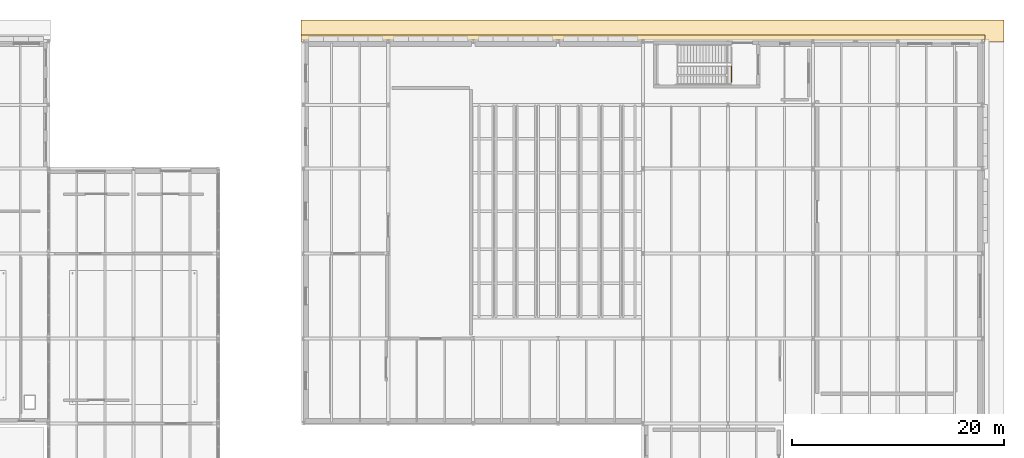
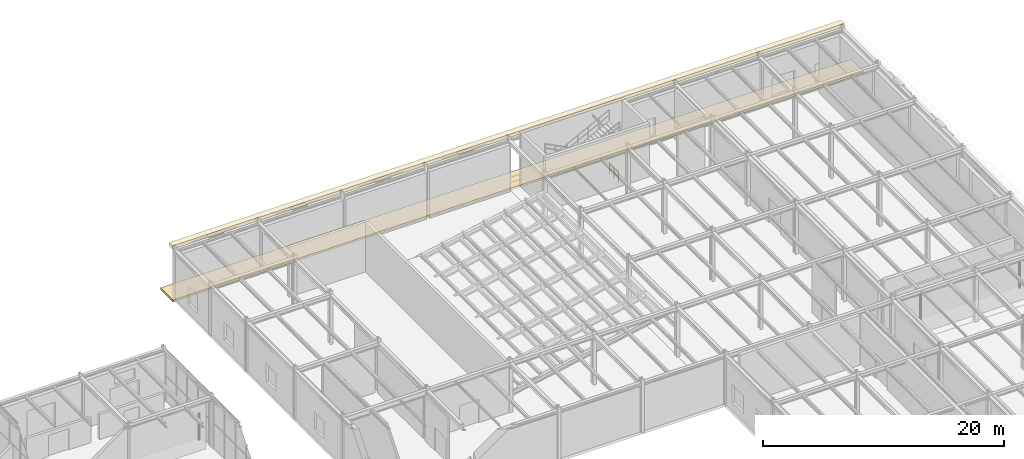
# One storey, part 128 of 129: 2 coverings, 1 railing.
"""IFC4 building model written with IfcOpenShell, lengths in metres."""

from ifc_helpers import new_model, si_unit, direction, frame, origin, origin_2d, place, context, subcontext, project, spatial, polyline, rectangle, circle, outline, extrude, material, layer, layer_set, type_object, element, save


model = new_model("IFC4")

# Units and contexts
model_context = context("Model", 3, precision=1e-05, world=origin(), true_north=direction((0.0, 1.0)))
body_context = subcontext(model_context, "Body", "Model", "MODEL_VIEW")
ifc_project = project(units=[si_unit("LENGTHUNIT", "METRE"), si_unit("AREAUNIT", "SQUARE_METRE"), si_unit("VOLUMEUNIT", "CUBIC_METRE"), si_unit("PLANEANGLEUNIT", "RADIAN"), si_unit("MASSUNIT", "GRAM", prefix="KILO")], contexts=[model_context])

# Site, building, storey
site_placement = place(None, origin())
site = spatial("IfcSite", under=ifc_project, at=site_placement, CompositionType="ELEMENT")
building_placement = place(site_placement, origin())
building = spatial("IfcBuilding", under=site, at=building_placement, Name="Sundkrona Museum", CompositionType="ELEMENT")
storey_placement = place(building_placement, origin())
storey = spatial("IfcBuildingStorey", under=building, at=storey_placement, Name="L00", CompositionType="ELEMENT", Elevation=0.0)

# Coverings
ifc_material_1 = material(Name="Frost-Resistant Vitrified Stoneware Mosaic Cladding", Category="masonry")
ifc_layer = layer(ifc_material_1, 0.044921875)
ifc_layer_set = layer_set([ifc_layer], Name="Frost-Resistant Vitrified Stoneware Mosaic Cladding")
covering_type = type_object("IfcCoveringType", Name="COV-CLD-MOS", PredefinedType="CLADDING", material=ifc_layer_set)
covering_1_placement = place(storey_placement, frame((136.0, 114.280029296875, 5.10986328125), z_axis=(0.0, 0.0, 1.0), x_axis=(1.0, 0.0, 0.0)))
element("IfcCovering", 1, at=covering_1_placement, inside=storey, type_object=covering_type, Name="Classical Corbelled Terracotta Cornice (CRN-V5-N)", PredefinedType="CLADDING", context=body_context, shape_type="SweptSolid", body=[
    extrude(rectangle(XDim=64.39990234375, YDim=0.580078125, at=origin_2d()), origin(), (0.0, 0.0, 1.0), 0.340087890625),
])
covering_2_placement = place(storey_placement, frame((0.0, 0.0, -0.219970703125)))
element("IfcCovering", 2, at=covering_2_placement, inside=storey, type_object=covering_type, Name="Granite Street and Forecourt Civic Plinth (COV-PLN-NORTH-E)", PredefinedType="CLADDING", context=body_context, shape_type="SweptSolid", body=[
    extrude(outline(polyline([(103.800048828125, 113.949951171875), (170.0, 113.949951171875), (170.0, 116.0), (103.800048828125, 116.0), (103.800048828125, 113.949951171875)])), origin(), (0.0, 0.0, 1.0), 0.2099609375),
])

# Railing
ifc_material_2 = material(Name="Painted Steel S355J2 and Laminated Glass Balustrade", Category="steel")
railing_type = type_object("IfcRailingType", Name="RL-GUARD-1100", PredefinedType="BALUSTRADE", material=ifc_material_2)
railing_placement = place(storey_placement, frame((144.3349609375, 110.179931640625, 0.0)))
element("IfcRailing", 3, at=railing_placement, inside=storey, type_object=railing_type, Name="L00 Edge Protection Balustrade 037", PredefinedType="BALUSTRADE", context=body_context, shape_type="SweptSolid", body=[
    extrude(circle(Radius=0.02392578125, at=origin_2d()), frame((0.0, 0.0, 1.09619140625), z_axis=(0.0, 1.0, 0.0), x_axis=(-1.0, 0.0, 0.0)), (0.0, 0.0, 1.0), 1.52001953125),
    extrude(circle(Radius=0.02392578125, at=origin_2d()), frame((0.0, 0.0, 0.56005859375), z_axis=(0.0, 1.0, 0.0), x_axis=(-1.0, 0.0, 0.0)), (0.0, 0.0, 1.0), 1.52001953125),
    extrude(circle(Radius=0.02099609375, at=origin_2d()), origin(), (0.0, 0.0, 1.0), 1.072021484375),
    extrude(circle(Radius=0.02099609375, at=origin_2d()), frame((0.0, 0.760009765625, 0.0)), (0.0, 0.0, 1.0), 1.072021484375),
    extrude(circle(Radius=0.02099609375, at=origin_2d()), frame((0.0, 1.52001953125, 0.0)), (0.0, 0.0, 1.0), 1.072021484375),
])

save(model, "model.ifc")
